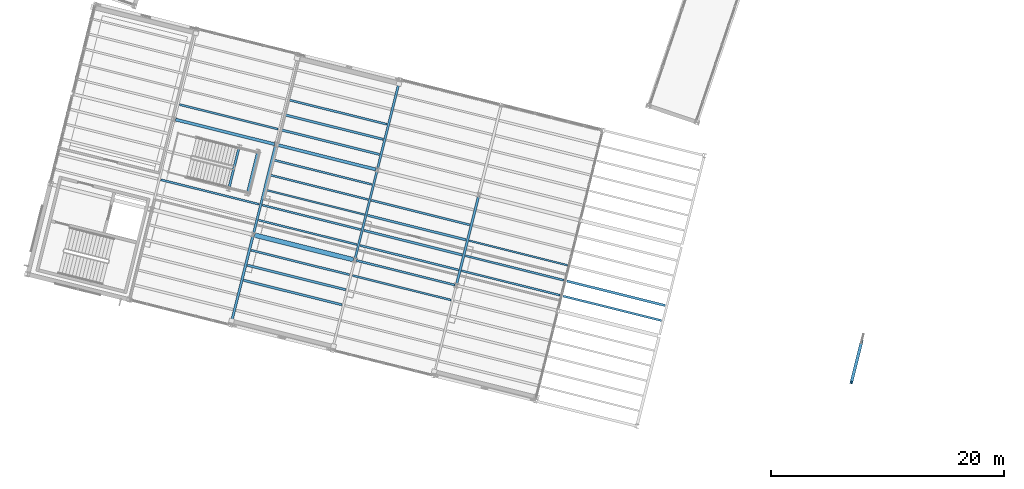
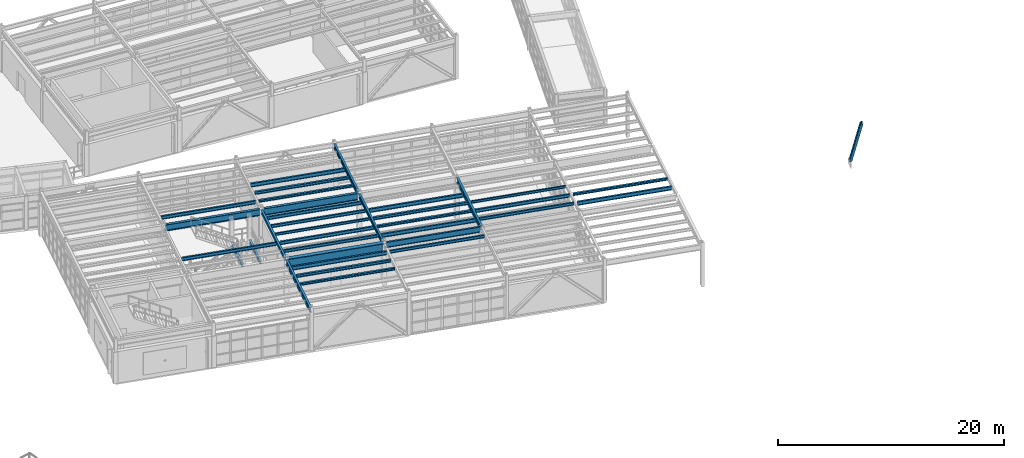
# One storey, part 30 of 102: 34 beams, 1 member.
"""IFC4 building model written with IfcOpenShell, lengths in metres."""

from ifc_helpers import new_model, si_unit, direction, frame, origin, origin_2d, place, context, subcontext, project, spatial, i_section, extrude, material, material_profile, profile_set, type_object, element, save


model = new_model("IFC4")

# Units and contexts
model_context = context("Model", 3, precision=1e-05, world=origin(), true_north=direction((0.0, 1.0)))
body_context = subcontext(model_context, "Body", "Model", "MODEL_VIEW")
ifc_project = project(units=[si_unit("LENGTHUNIT", "METRE"), si_unit("AREAUNIT", "SQUARE_METRE"), si_unit("VOLUMEUNIT", "CUBIC_METRE"), si_unit("PLANEANGLEUNIT", "RADIAN"), si_unit("MASSUNIT", "GRAM", prefix="KILO")], contexts=[model_context])

# Site, building, storey
site_placement = place(None, origin())
site = spatial("IfcSite", under=ifc_project, at=site_placement, CompositionType="ELEMENT")
building_placement = place(site_placement, origin())
building = spatial("IfcBuilding", under=site, at=building_placement, Name="Vireo Bluff Cable Station", CompositionType="ELEMENT")
storey_placement = place(building_placement, frame((0.0, 0.0, 9.60009765625)))
storey = spatial("IfcBuildingStorey", under=building, at=storey_placement, Name="L02", CompositionType="ELEMENT", Elevation=9.60009765625)

# Beams
ifc_material = material(Name="Steel ASTM A992 Gr. 50", Category="steel")
ifc_material_profile_1 = material_profile(ifc_material, i_section(OverallWidth=0.2041015625, OverallDepth=0.35009765625, WebThickness=0.008544921875, FlangeThickness=0.01513671875, FilletRadius=0.010009765625, at=origin_2d()), Name="W14X48")
ifc_profile_set_1 = profile_set([ifc_material_profile_1], Name="Steel ASTM A992 Gr. 50")
beam_type_1 = type_object("IfcBeamType", Name="BM-W14X48", PredefinedType="BEAM", material=ifc_profile_set_1)
beam_1_placement = place(storey_placement, frame((73.4296875, 41.524169921875, 4.364990234375), z_axis=(0.241935966891, 0.970292217801, 0.0), x_axis=(-0.970292217801, 0.241935966891, 0.0)))
element("IfcBeam", 1, at=beam_1_placement, inside=storey, type_object=beam_type_1, Name="V1 L02 beam 176", PredefinedType="BEAM", context=body_context, shape_type="SweptSolid", body=[
    extrude(i_section(OverallWidth=0.2041015625, OverallDepth=0.35009765625, WebThickness=0.008544921875, FlangeThickness=0.01513671875, FilletRadius=0.010009765625, at=origin_2d()), origin(), (0.0, 0.0, 1.0), 7.760009765625),
])
for number, where, z_axis, x_axis, name in (
    (2, (71.326904296875, 45.49072265625, 2.02490234375), (0.24193442655, 0.970292601873, 0.0), (-0.970292601873, 0.24193442655, 0.0), "ST-10 L02 landing header beam N"),
    (3, (72.927734375, 45.091552734375, 2.02490234375), (0.24193442655, 0.970292601873, 0.0), (-0.970292601873, 0.24193442655, 0.0), "ST-10 L02 landing header beam F"),
):
    element("IfcBeam", number, at=place(storey_placement, frame(where, z_axis=z_axis, x_axis=x_axis)), inside=storey, type_object=beam_type_1, Name=name, PredefinedType="BEAM", context=body_context, shape_type="SweptSolid", body=[
        extrude(i_section(OverallWidth=0.2041015625, OverallDepth=0.35009765625, WebThickness=0.008544921875, FlangeThickness=0.01513671875, FilletRadius=0.010009765625, at=origin_2d()), origin(), (0.0, 0.0, 1.0), 3.440185546875),
    ])
ifc_material_profile_2 = material_profile(ifc_material, i_section(OverallWidth=0.19091796875, OverallDepth=0.45703125, WebThickness=0.009033203125, FlangeThickness=0.014404296875, FilletRadius=0.011962890625, at=origin_2d()), Name="W18X50")
ifc_profile_set_2 = profile_set([ifc_material_profile_2], Name="Steel ASTM A992 Gr. 50")
beam_type_2 = type_object("IfcBeamType", Name="BM-W18X50", PredefinedType="BEAM", material=ifc_profile_set_2)
beam_2_placement = place(storey_placement, frame((82.162353515625, 39.346923828125, 4.3115234375), z_axis=(0.241935966891, 0.970292217801, 0.0), x_axis=(-0.970292217801, 0.241935966891, 0.0)))
element("IfcBeam", 4, at=beam_2_placement, inside=storey, type_object=beam_type_2, Name="V1 L02 beam 179", PredefinedType="BEAM", context=body_context, shape_type="SweptSolid", body=[
    extrude(i_section(OverallWidth=0.19091796875, OverallDepth=0.45703125, WebThickness=0.009033203125, FlangeThickness=0.014404296875, FilletRadius=0.011962890625, at=origin_2d()), origin(), (0.0, 0.0, 1.0), 7.760009765625),
])
ifc_material_profile_3 = material_profile(ifc_material, i_section(OverallWidth=0.193115234375, OverallDepth=0.467041015625, WebThickness=0.011474609375, FlangeThickness=0.01904296875, FilletRadius=0.011962890625, at=origin_2d()), Name="W18X65")
ifc_profile_set_3 = profile_set([ifc_material_profile_3], Name="Steel ASTM A992 Gr. 50")
beam_type_3 = type_object("IfcBeamType", Name="BM-W18X65", PredefinedType="BEAM", material=ifc_profile_set_3)
beam_3_placement = place(storey_placement, frame((84.09765625, 47.109375, 4.306396484375), z_axis=(0.241943352562, 0.970290376203, 0.0), x_axis=(-0.970290376203, 0.241943352562, 0.0)))
element("IfcBeam", 5, at=beam_3_placement, inside=storey, type_object=beam_type_3, Name="V1 L02 beam 180", PredefinedType="BEAM", context=body_context, shape_type="SweptSolid", body=[
    extrude(i_section(OverallWidth=0.193115234375, OverallDepth=0.467041015625, WebThickness=0.011474609375, FlangeThickness=0.01904296875, FilletRadius=0.011962890625, at=origin_2d()), origin(), (0.0, 0.0, 1.0), 7.759765625),
])
ifc_material_profile_4 = material_profile(ifc_material, i_section(OverallWidth=0.2099609375, OverallDepth=0.535888671875, WebThickness=0.010986328125, FlangeThickness=0.017333984375, FilletRadius=0.012939453125, at=origin_2d()), Name="W21X68")
ifc_profile_set_4 = profile_set([ifc_material_profile_4], Name="Steel ASTM A992 Gr. 50")
beam_type_4 = type_object("IfcBeamType", Name="BM-W21X68", PredefinedType="BEAM", material=ifc_profile_set_4)
beam_4_placement = place(storey_placement, frame((90.89501953125, 37.169677734375, 4.27197265625), z_axis=(0.241935966891, 0.970292217801, 0.0), x_axis=(-0.970292217801, 0.241935966891, 0.0)))
element("IfcBeam", 6, at=beam_4_placement, inside=storey, type_object=beam_type_4, Name="V1 L02 beam 182", PredefinedType="BEAM", context=body_context, shape_type="SweptSolid", body=[
    extrude(i_section(OverallWidth=0.2099609375, OverallDepth=0.535888671875, WebThickness=0.010986328125, FlangeThickness=0.017333984375, FilletRadius=0.012939453125, at=origin_2d()), origin(), (0.0, 0.0, 1.0), 7.760009765625),
])
ifc_material_profile_5 = material_profile(ifc_material, i_section(OverallWidth=0.214111328125, OverallDepth=0.549072265625, WebThickness=0.0146484375, FlangeThickness=0.023681640625, FilletRadius=0.012939453125, at=origin_2d()), Name="W21X93")
ifc_profile_set_5 = profile_set([ifc_material_profile_5], Name="Steel ASTM A992 Gr. 50")
beam_type_5 = type_object("IfcBeamType", Name="BM-W21X93", PredefinedType="BEAM", material=ifc_profile_set_5)
beam_5_placement = place(storey_placement, frame((71.494384765625, 33.761962890625, 4.265380859375), z_axis=(0.241913731831, 0.970297761696, 0.0), x_axis=(-0.970297761696, 0.241913731831, 0.0)))
element("IfcBeam", 7, at=beam_5_placement, inside=storey, type_object=beam_type_5, Name="V1 L02 beam 175", PredefinedType="BEAM", context=body_context, shape_type="SweptSolid", body=[
    extrude(i_section(OverallWidth=0.214111328125, OverallDepth=0.549072265625, WebThickness=0.0146484375, FlangeThickness=0.023681640625, FilletRadius=0.012939453125, at=origin_2d()), origin(), (0.0, 0.0, 1.0), 7.759765625),
])

# Member
ifc_material_profile_6 = material_profile(ifc_material, i_section(OverallWidth=0.2548828125, OverallDepth=0.256103515625, WebThickness=0.009521484375, FlangeThickness=0.015625, FilletRadius=0.009033203125, at=origin_2d()), Name="W10X54")
ifc_profile_set_6 = profile_set([ifc_material_profile_6], Name="Steel ASTM A992 Gr. 50")
member_type = type_object("IfcMemberType", Name="BRC-02", PredefinedType="BRACE", material=ifc_profile_set_6)
member_placement = place(storey_placement, frame((125.73779296875, 32.2412109375, 2.31982421875), z_axis=(-0.117279797962, -0.470384801177, 0.874633401953), x_axis=(0.970295873999, -0.241921303114, 0.0)))
element("IfcMember", 8, at=member_placement, inside=storey, type_object=member_type, Name="Launch pylon split cross brace 2B", PredefinedType="BRACE", context=body_context, shape_type="SweptSolid", body=[
    extrude(i_section(OverallWidth=0.2548828125, OverallDepth=0.256103515625, WebThickness=0.009521484375, FlangeThickness=0.015625, FilletRadius=0.009033203125, at=origin_2d()), origin(), (0.0, 0.0, 1.0), 7.523193359375),
])

# Beams
ifc_material_profile_7 = material_profile(ifc_material, i_section(OverallWidth=0.178955078125, OverallDepth=0.60302734375, WebThickness=0.010986328125, FlangeThickness=0.014892578125, FilletRadius=0.012939453125, at=origin_2d()), Name="W24X62")
ifc_profile_set_7 = profile_set([ifc_material_profile_7], Name="Steel ASTM A992 Gr. 50")
beam_type_6 = type_object("IfcBeamType", Name="GIR-W24X62", PredefinedType="USERDEFINED", material=ifc_profile_set_7)
beam_6_placement = place(storey_placement, frame((82.249755859375, 39.201416015625, 4.23828125), z_axis=(0.970298044881, -0.241912595995, 0.0), x_axis=(0.241912595995, 0.970298044881, 0.0)))
element("IfcBeam", 9, at=beam_6_placement, inside=storey, type_object=beam_type_6, Name="V1 L02 girder 154", ObjectType="GIRDER", PredefinedType="USERDEFINED", context=body_context, shape_type="SweptSolid", body=[
    extrude(i_section(OverallWidth=0.178955078125, OverallDepth=0.60302734375, WebThickness=0.010986328125, FlangeThickness=0.014892578125, FilletRadius=0.012939453125, at=origin_2d()), origin(), (0.0, 0.0, 1.0), 8.760009765625),
])
ifc_material_profile_8 = material_profile(ifc_material, i_section(OverallWidth=0.257080078125, OverallDepth=0.693115234375, WebThickness=0.014404296875, FlangeThickness=0.023681640625, FilletRadius=0.014892578125, at=origin_2d()), Name="W27X114")
ifc_profile_set_8 = profile_set([ifc_material_profile_8], Name="Steel ASTM A992 Gr. 50")
beam_type_7 = type_object("IfcBeamType", Name="GIR-W27X114", PredefinedType="USERDEFINED", material=ifc_profile_set_8)
beam_7_placement = place(storey_placement, frame((66.7197265625, 51.318359375, 4.193359375), z_axis=(0.970299675821, -0.241906054289, 0.0), x_axis=(0.241906054289, 0.970299675821, 0.0)))
element("IfcBeam", 10, at=beam_7_placement, inside=storey, type_object=beam_type_7, Name="V1 L02 girder 158", ObjectType="GIRDER", PredefinedType="USERDEFINED", context=body_context, shape_type="SweptSolid", body=[
    extrude(i_section(OverallWidth=0.257080078125, OverallDepth=0.693115234375, WebThickness=0.014404296875, FlangeThickness=0.023681640625, FilletRadius=0.014892578125, at=origin_2d()), origin(), (0.0, 0.0, 1.0), 8.76025390625),
])
ifc_material_profile_9 = material_profile(ifc_material, i_section(OverallWidth=0.264892578125, OverallDepth=0.7529296875, WebThickness=0.01318359375, FlangeThickness=0.01708984375, FilletRadius=0.01611328125, at=origin_2d()), Name="W30X99")
ifc_profile_set_9 = profile_set([ifc_material_profile_9], Name="Steel ASTM A992 Gr. 50")
beam_type_8 = type_object("IfcBeamType", Name="GIR-W30X99", PredefinedType="USERDEFINED", material=ifc_profile_set_9)
beam_8_placement = place(storey_placement, frame((75.452392578125, 49.14111328125, 4.163330078125), z_axis=(0.970299675821, -0.241906054289, 0.0), x_axis=(0.241906054289, 0.970299675821, 0.0)))
element("IfcBeam", 11, at=beam_8_placement, inside=storey, type_object=beam_type_8, Name="V1 L02 girder 159", ObjectType="GIRDER", PredefinedType="USERDEFINED", context=body_context, shape_type="SweptSolid", body=[
    extrude(i_section(OverallWidth=0.264892578125, OverallDepth=0.7529296875, WebThickness=0.01318359375, FlangeThickness=0.01708984375, FilletRadius=0.01611328125, at=origin_2d()), origin(), (0.0, 0.0, 1.0), 8.76025390625),
])
ifc_material_profile_10 = material_profile(ifc_material, i_section(OverallWidth=0.404052734375, OverallDepth=1.117919921875, WebThickness=0.026123046875, FlangeThickness=0.044921875, FilletRadius=0.02197265625, at=origin_2d()), Name="W44X335")
ifc_profile_set_10 = profile_set([ifc_material_profile_10], Name="Steel ASTM A992 Gr. 50")
beam_type_9 = type_object("IfcBeamType", Name="GIR-W44X335", PredefinedType="USERDEFINED", material=ifc_profile_set_10)
beam_9_placement = place(storey_placement, frame((73.51708984375, 41.378662109375, 3.98095703125), z_axis=(0.970298044881, -0.241912595995, 0.0), x_axis=(0.241912595995, 0.970298044881, 0.0)))
element("IfcBeam", 12, at=beam_9_placement, inside=storey, type_object=beam_type_9, Name="V1 L02 girder 153", ObjectType="GIRDER", PredefinedType="USERDEFINED", context=body_context, shape_type="SweptSolid", body=[
    extrude(i_section(OverallWidth=0.404052734375, OverallDepth=1.117919921875, WebThickness=0.026123046875, FlangeThickness=0.044921875, FilletRadius=0.02197265625, at=origin_2d()), origin(), (0.0, 0.0, 1.0), 8.760009765625),
])
ifc_material_profile_11 = material_profile(ifc_material, i_section(OverallWidth=0.14599609375, OverallDepth=0.259033203125, WebThickness=0.006103515625, FlangeThickness=0.009033203125, FilletRadius=0.009033203125, at=origin_2d()), Name="W10X22")
ifc_profile_set_11 = profile_set([ifc_material_profile_11], Name="Steel ASTM A992 Gr. 50")
beam_type_10 = type_object("IfcBeamType", Name="JST-W10X22", PredefinedType="JOIST", material=ifc_profile_set_11)
for number, where, z_axis, x_axis, name in (
    (13, (74.504150390625, 45.255126953125, 4.410400390625), (0.970293828661, -0.24192950639, 0.0), (0.24192950639, 0.970293828661, 0.0), "V1 L02 composite joist 219"),
    (14, (91.969482421875, 40.900390625, 4.410400390625), (0.970300400641, -0.241903146974, 0.0), (0.241903146974, 0.970300400641, 0.0), "V1 L02 composite joist 249"),
):
    element("IfcBeam", number, at=place(storey_placement, frame(where, z_axis=z_axis, x_axis=x_axis)), inside=storey, type_object=beam_type_10, Name=name, PredefinedType="JOIST", context=body_context, shape_type="SweptSolid", body=[
        extrude(i_section(OverallWidth=0.14599609375, OverallDepth=0.259033203125, WebThickness=0.006103515625, FlangeThickness=0.009033203125, FilletRadius=0.009033203125, at=origin_2d()), origin(), (0.0, 0.0, 1.0), 8.719970703125),
    ])
ifc_material_profile_12 = material_profile(ifc_material, i_section(OverallWidth=0.201904296875, OverallDepth=0.2470703125, WebThickness=0.00732421875, FlangeThickness=0.010986328125, FilletRadius=0.009033203125, at=origin_2d()), Name="W10X33")
ifc_profile_set_12 = profile_set([ifc_material_profile_12], Name="Steel ASTM A992 Gr. 50")
beam_type_11 = type_object("IfcBeamType", Name="JST-W10X33", PredefinedType="JOIST", material=ifc_profile_set_12)
for number, where, z_axis, x_axis, name in (
    (15, (72.56884765625, 37.49267578125, 4.41650390625), (0.970293828661, -0.24192950639, 0.0), (0.24192950639, 0.970293828661, 0.0), "V1 L02 composite joist 214"),
    (16, (75.79443359375, 50.429931640625, 4.41650390625), (0.970300400641, -0.241903146974, 0.0), (0.241903146974, 0.970300400641, 0.0), "V1 L02 composite joist 222"),
    (17, (82.914306640625, 41.7841796875, 4.41650390625), (0.970293828661, -0.24192950639, 0.0), (0.24192950639, 0.970293828661, 0.0), "V1 L02 composite joist 233"),
    (18, (100.379638671875, 37.429443359375, 4.41650390625), (0.970293828661, -0.24192950639, 0.0), (0.24192950639, 0.970293828661, 0.0), "V1 L02 composite joist 263"),
):
    element("IfcBeam", number, at=place(storey_placement, frame(where, z_axis=z_axis, x_axis=x_axis)), inside=storey, type_object=beam_type_11, Name=name, PredefinedType="JOIST", context=body_context, shape_type="SweptSolid", body=[
        extrude(i_section(OverallWidth=0.201904296875, OverallDepth=0.2470703125, WebThickness=0.00732421875, FlangeThickness=0.010986328125, FilletRadius=0.009033203125, at=origin_2d()), origin(), (0.0, 0.0, 1.0), 8.719970703125),
    ])
ifc_material_profile_13 = material_profile(ifc_material, i_section(OverallWidth=0.1650390625, OverallDepth=0.31005859375, WebThickness=0.005859375, FlangeThickness=0.009765625, FilletRadius=0.010009765625, at=origin_2d()), Name="W12X26")
ifc_profile_set_13 = profile_set([ifc_material_profile_13], Name="Steel ASTM A992 Gr. 50")
beam_type_12 = type_object("IfcBeamType", Name="JST-W12X26", PredefinedType="JOIST", material=ifc_profile_set_13)
for number, where, z_axis, x_axis, name in (
    (19, (73.859130859375, 42.667724609375, 4.385009765625), (0.970293828661, -0.24192950639, 0.0), (0.24192950639, 0.970293828661, 0.0), "V1 L02 composite joist 217"),
    (20, (74.826904296875, 46.548828125, 4.385009765625), (0.970293828661, -0.24192950639, 0.0), (0.24192950639, 0.970293828661, 0.0), "V1 L02 composite joist 220"),
):
    element("IfcBeam", number, at=place(storey_placement, frame(where, z_axis=z_axis, x_axis=x_axis)), inside=storey, type_object=beam_type_12, Name=name, PredefinedType="JOIST", context=body_context, shape_type="SweptSolid", body=[
        extrude(i_section(OverallWidth=0.1650390625, OverallDepth=0.31005859375, WebThickness=0.005859375, FlangeThickness=0.009765625, FilletRadius=0.010009765625, at=origin_2d()), origin(), (0.0, 0.0, 1.0), 8.719970703125),
    ])
beam_10_placement = place(storey_placement, frame((81.946533203125, 37.90283203125, 4.385009765625), z_axis=(0.970295467306, -0.24192293427, 0.0), x_axis=(0.24192293427, 0.970295467306, 0.0)))
element("IfcBeam", 21, at=beam_10_placement, inside=storey, type_object=beam_type_12, Name="V1 L02 composite joist 231", PredefinedType="JOIST", context=body_context, shape_type="SweptSolid", body=[
    extrude(i_section(OverallWidth=0.1650390625, OverallDepth=0.31005859375, WebThickness=0.005859375, FlangeThickness=0.009765625, FilletRadius=0.010009765625, at=origin_2d()), origin(), (0.0, 0.0, 1.0), 8.72021484375),
])
beam_11_placement = place(storey_placement, frame((91.324462890625, 38.31298828125, 4.385009765625), z_axis=(0.970293828661, -0.24192950639, 0.0), x_axis=(0.24192950639, 0.970293828661, 0.0)))
element("IfcBeam", 22, at=beam_11_placement, inside=storey, type_object=beam_type_12, Name="V1 L02 composite joist 247", PredefinedType="JOIST", context=body_context, shape_type="SweptSolid", body=[
    extrude(i_section(OverallWidth=0.1650390625, OverallDepth=0.31005859375, WebThickness=0.005859375, FlangeThickness=0.009765625, FilletRadius=0.010009765625, at=origin_2d()), origin(), (0.0, 0.0, 1.0), 8.719970703125),
])
ifc_material_profile_14 = material_profile(ifc_material, i_section(OverallWidth=0.202880859375, OverallDepth=0.302978515625, WebThickness=0.007568359375, FlangeThickness=0.01318359375, FilletRadius=0.010009765625, at=origin_2d()), Name="W12X40")
ifc_profile_set_14 = profile_set([ifc_material_profile_14], Name="Steel ASTM A992 Gr. 50")
beam_type_13 = type_object("IfcBeamType", Name="JST-W12X40", PredefinedType="JOIST", material=ifc_profile_set_14)
beam_12_placement = place(storey_placement, frame((72.891357421875, 38.786376953125, 4.388427734375), z_axis=(0.970300400641, -0.241903146974, 0.0), x_axis=(0.241903146974, 0.970300400641, 0.0)))
element("IfcBeam", 23, at=beam_12_placement, inside=storey, type_object=beam_type_13, Name="V1 L02 composite joist 215", PredefinedType="JOIST", context=body_context, shape_type="SweptSolid", body=[
    extrude(i_section(OverallWidth=0.202880859375, OverallDepth=0.302978515625, WebThickness=0.007568359375, FlangeThickness=0.01318359375, FilletRadius=0.010009765625, at=origin_2d()), origin(), (0.0, 0.0, 1.0), 8.719970703125),
])
beam_13_placement = place(storey_placement, frame((76.116943359375, 51.7236328125, 4.388427734375), z_axis=(0.97030203894, -0.241896575481, 0.0), x_axis=(0.241896575481, 0.97030203894, 0.0)))
element("IfcBeam", 24, at=beam_13_placement, inside=storey, type_object=beam_type_13, Name="V1 L02 composite joist 223", PredefinedType="JOIST", context=body_context, shape_type="SweptSolid", body=[
    extrude(i_section(OverallWidth=0.202880859375, OverallDepth=0.302978515625, WebThickness=0.007568359375, FlangeThickness=0.01318359375, FilletRadius=0.010009765625, at=origin_2d()), origin(), (0.0, 0.0, 1.0), 8.72021484375),
])
beam_14_placement = place(storey_placement, frame((83.23681640625, 43.077880859375, 4.388427734375), z_axis=(0.970293828661, -0.24192950639, 0.0), x_axis=(0.24192950639, 0.970293828661, 0.0)))
element("IfcBeam", 25, at=beam_14_placement, inside=storey, type_object=beam_type_13, Name="V1 L02 composite joist 234", PredefinedType="JOIST", context=body_context, shape_type="SweptSolid", body=[
    extrude(i_section(OverallWidth=0.202880859375, OverallDepth=0.302978515625, WebThickness=0.007568359375, FlangeThickness=0.01318359375, FilletRadius=0.010009765625, at=origin_2d()), origin(), (0.0, 0.0, 1.0), 8.719970703125),
])
ifc_material_profile_15 = material_profile(ifc_material, i_section(OverallWidth=0.1708984375, OverallDepth=0.35107421875, WebThickness=0.0068359375, FlangeThickness=0.009765625, FilletRadius=0.010009765625, at=origin_2d()), Name="W14X30")
ifc_profile_set_15 = profile_set([ifc_material_profile_15], Name="Steel ASTM A992 Gr. 50")
beam_type_14 = type_object("IfcBeamType", Name="JST-W14X30", PredefinedType="JOIST", material=ifc_profile_set_15)
for number, where, z_axis, x_axis, name in (
    (26, (65.448974609375, 46.138671875, 4.364501953125), (0.970293828661, -0.24192950639, 0.0), (0.24192950639, 0.970293828661, 0.0), "V1 L02 composite joist 206"),
    (27, (67.061767578125, 52.607177734375, 4.364501953125), (0.970300400641, -0.241903146974, 0.0), (0.241903146974, 0.970300400641, 0.0), "V1 L02 composite joist 207"),
    (28, (74.181640625, 43.96142578125, 4.364501953125), (0.970293828661, -0.24192950639, 0.0), (0.24192950639, 0.970293828661, 0.0), "V1 L02 composite joist 218"),
    (29, (75.1494140625, 47.842529296875, 4.364501953125), (0.970293828661, -0.24192950639, 0.0), (0.24192950639, 0.970293828661, 0.0), "V1 L02 composite joist 221"),
    (30, (91.64697265625, 39.606689453125, 4.364501953125), (0.970300400641, -0.241903146974, 0.0), (0.241903146974, 0.970300400641, 0.0), "V1 L02 composite joist 248"),
):
    element("IfcBeam", number, at=place(storey_placement, frame(where, z_axis=z_axis, x_axis=x_axis)), inside=storey, type_object=beam_type_14, Name=name, PredefinedType="JOIST", context=body_context, shape_type="SweptSolid", body=[
        extrude(i_section(OverallWidth=0.1708984375, OverallDepth=0.35107421875, WebThickness=0.0068359375, FlangeThickness=0.009765625, FilletRadius=0.010009765625, at=origin_2d()), origin(), (0.0, 0.0, 1.0), 8.719970703125),
    ])
ifc_material_profile_16 = material_profile(ifc_material, i_section(OverallWidth=0.177978515625, OverallDepth=0.404052734375, WebThickness=0.007568359375, FlangeThickness=0.010986328125, FilletRadius=0.010009765625, at=origin_2d()), Name="W16X36")
ifc_profile_set_16 = profile_set([ifc_material_profile_16], Name="Steel ASTM A992 Gr. 50")
beam_type_15 = type_object("IfcBeamType", Name="JST-W16X36", PredefinedType="JOIST", material=ifc_profile_set_16)
beam_15_placement = place(storey_placement, frame((73.2138671875, 40.080078125, 4.337890625), z_axis=(0.97030203894, -0.241896575481, 0.0), x_axis=(0.241896575481, 0.97030203894, 0.0)))
element("IfcBeam", 31, at=beam_15_placement, inside=storey, type_object=beam_type_15, Name="V1 L02 composite joist 216", PredefinedType="JOIST", context=body_context, shape_type="SweptSolid", body=[
    extrude(i_section(OverallWidth=0.177978515625, OverallDepth=0.404052734375, WebThickness=0.007568359375, FlangeThickness=0.010986328125, FilletRadius=0.010009765625, at=origin_2d()), origin(), (0.0, 0.0, 1.0), 8.72021484375),
])
for number, where, z_axis, x_axis, name in (
    (32, (76.439697265625, 53.017333984375, 4.337890625), (0.970300400641, -0.241903146974, 0.0), (0.241903146974, 0.970300400641, 0.0), "V1 L02 composite joist 224"),
    (33, (82.591796875, 40.490234375, 4.337890625), (0.970300400641, -0.241903146974, 0.0), (0.241903146974, 0.970300400641, 0.0), "V1 L02 composite joist 232"),
    (34, (83.5595703125, 44.37158203125, 4.337890625), (0.970293828661, -0.24192950639, 0.0), (0.24192950639, 0.970293828661, 0.0), "V1 L02 composite joist 235"),
    (35, (100.05712890625, 36.1357421875, 4.337890625), (0.970293828661, -0.24192950639, 0.0), (0.24192950639, 0.970293828661, 0.0), "V1 L02 composite joist 262"),
):
    element("IfcBeam", number, at=place(storey_placement, frame(where, z_axis=z_axis, x_axis=x_axis)), inside=storey, type_object=beam_type_15, Name=name, PredefinedType="JOIST", context=body_context, shape_type="SweptSolid", body=[
        extrude(i_section(OverallWidth=0.177978515625, OverallDepth=0.404052734375, WebThickness=0.007568359375, FlangeThickness=0.010986328125, FilletRadius=0.010009765625, at=origin_2d()), origin(), (0.0, 0.0, 1.0), 8.719970703125),
    ])

save(model, "model.ifc")
